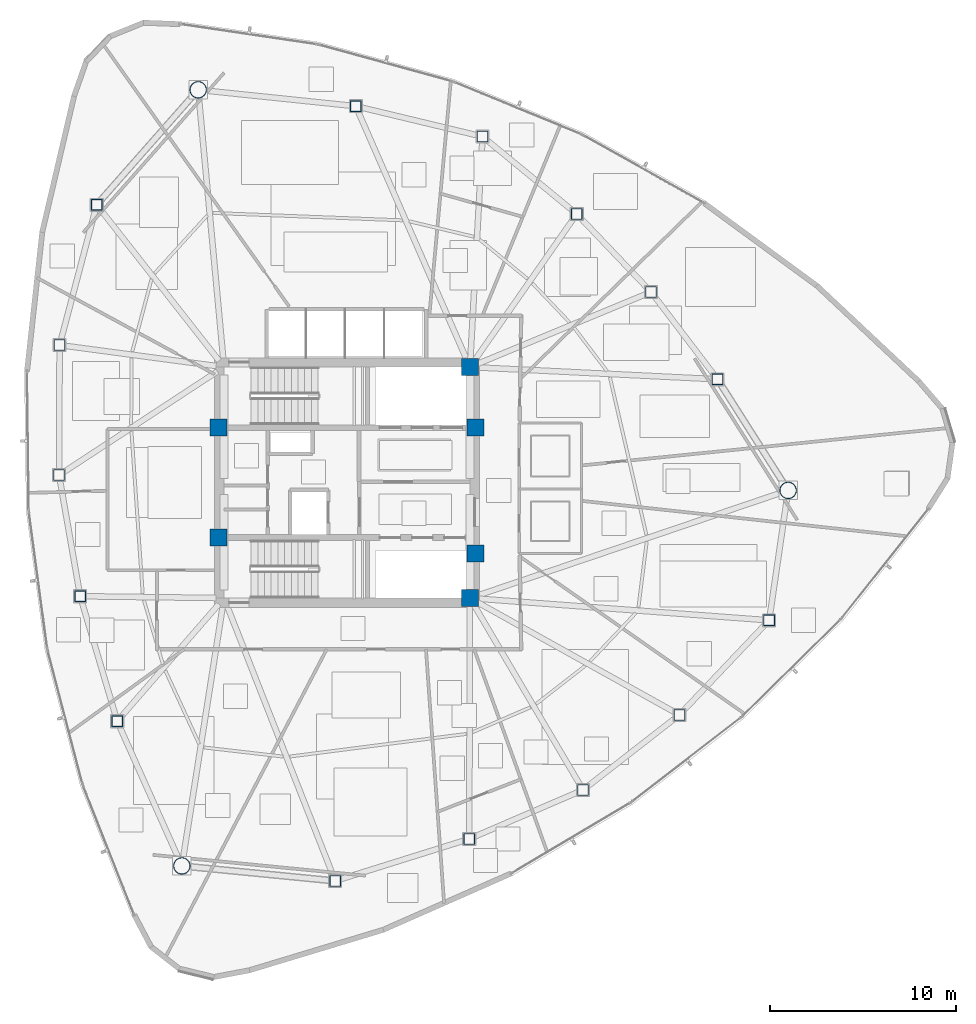
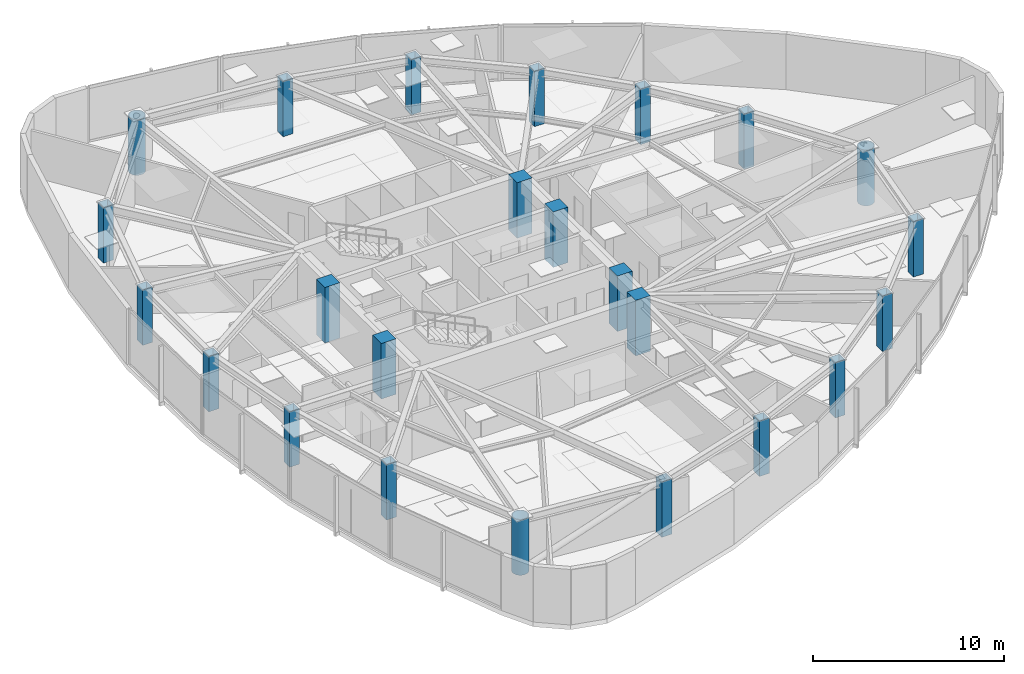
# One storey, part 1 of 18: 24 columns.
"""IFC4 building model written with IfcOpenShell, lengths in metres."""

from ifc_helpers import new_model, si_unit, direction, frame, origin, origin_2d, place, context, subcontext, project, spatial, rectangle, hollow_rectangle, hollow_circle, extrude, material, material_profile, profile_set, type_object, element, save


model = new_model("IFC4")

# Units and contexts
model_context = context("Model", 3, precision=1e-05, world=origin(), true_north=direction((0.0, 1.0)))
body_context = subcontext(model_context, "Body", "Model", "MODEL_VIEW")
ifc_project = project(units=[si_unit("LENGTHUNIT", "METRE"), si_unit("AREAUNIT", "SQUARE_METRE"), si_unit("VOLUMEUNIT", "CUBIC_METRE"), si_unit("PLANEANGLEUNIT", "RADIAN"), si_unit("MASSUNIT", "GRAM", prefix="KILO")], contexts=[model_context])

# Site, building, storey
site_placement = place(None, origin())
site = spatial("IfcSite", under=ifc_project, at=site_placement, CompositionType="ELEMENT")
building_placement = place(site_placement, origin())
building = spatial("IfcBuilding", under=site, at=building_placement, Name="Tavelor Broadcast Tower", CompositionType="ELEMENT")
storey_placement = place(building_placement, frame((0.0, 0.0, 177.199951171875)))
storey = spatial("IfcBuildingStorey", under=building, at=storey_placement, Name="L42", CompositionType="ELEMENT", Elevation=177.199951171875)

# Columns
ifc_material_1 = material(Name="Concrete C50/60", Category="concrete")
ifc_material_profile_1 = material_profile(ifc_material_1, rectangle(XDim=0.89990234375, YDim=0.89990234375, at=origin_2d()), Name="RC 900x900")
ifc_profile_set_1 = profile_set([ifc_material_profile_1], Name="Concrete C50/60")
column_type_1 = type_object("IfcColumnType", Name="Core Embedded Composite Column RC900", PredefinedType="COLUMN", material=ifc_profile_set_1)
for number, where, z_axis, x_axis, name in (
    (1, (43.10009765625, 47.949951171875, 0.0), (0.0, 0.0, 1.0), (1.0, 0.0, 0.0), "L42 Core Embedded Column 1"),
    (2, (56.89990234375, 47.949951171875, 0.0), (0.0, 0.0, 1.0), (1.0, 0.0, 0.0), "L42 Core Embedded Column 2"),
    (3, (56.60009765625, 51.199951171875, 0.0), (0.0, 0.0, 1.0), (1.0, 0.0, 0.0), "L42 Core Embedded Column 3"),
    (4, (43.10009765625, 42.050048828125, 0.0), (0.0, 0.0, 1.0), (1.0, 0.0, 0.0), "L42 Core Embedded Column 4"),
    (5, (56.89990234375, 41.199951171875, 0.0), (0.0, 0.0, 1.0), (1.0, 0.0, 0.0), "L42 Core Embedded Column 5"),
    (6, (56.60009765625, 38.800048828125, 0.0), (0.0, 0.0, 1.0), (1.0, 0.0, 0.0), "L42 Core Embedded Column 6"),
):
    element("IfcColumn", number, at=place(storey_placement, frame(where, z_axis=z_axis, x_axis=x_axis)), inside=storey, type_object=column_type_1, Name=name, PredefinedType="COLUMN", context=body_context, shape_type="SweptSolid", body=[
        extrude(rectangle(XDim=0.89990234375, YDim=0.89990234375, at=origin_2d()), origin(), (0.0, 0.0, 1.0), 3.550048828125),
    ])
ifc_material_2 = material(Name="Steel S460", Category="steel")
ifc_material_profile_2 = material_profile(ifc_material_2, hollow_rectangle(XDim=0.60009765625, YDim=0.60009765625, WallThickness=0.035888671875, at=origin_2d()), Name="SHS 600x600x36")
ifc_profile_set_2 = profile_set([ifc_material_profile_2], Name="Steel S460")
column_type_2 = type_object("IfcColumnType", Name="Perimeter Tube Column T4 SHS 600x600x36", PredefinedType="COLUMN", material=ifc_profile_set_2)
for number, where, z_axis, x_axis, name in (
    (7, (36.567626953125, 59.91064453125, 0.0), (0.0, 0.0, 1.0), (1.0, 0.0, 0.0), "L42 Perimeter Framed-Tube Column 02"),
    (8, (34.5751953125, 52.37939453125, 0.0), (0.0, 0.0, 1.0), (1.0, 0.0, 0.0), "L42 Perimeter Framed-Tube Column 03"),
    (9, (34.54638671875, 45.399169921875, 0.0), (0.0, 0.0, 1.0), (1.0, 0.0, 0.0), "L42 Perimeter Framed-Tube Column 04"),
    (10, (35.680908203125, 38.89990234375, 0.0), (0.0, 0.0, 1.0), (1.0, 0.0, 0.0), "L42 Perimeter Framed-Tube Column 05"),
    (11, (37.668212890625, 32.1904296875, 0.0), (0.0, 0.0, 1.0), (1.0, 0.0, 0.0), "L42 Perimeter Framed-Tube Column 06"),
    (12, (49.366455078125, 23.618896484375, 0.0), (0.0, 0.0, 1.0), (1.0, 0.0, 0.0), "L42 Perimeter Framed-Tube Column 08"),
    (13, (56.56103515625, 25.872802734375, 0.0), (0.0, 0.0, 1.0), (1.0, 0.0, 0.0), "L42 Perimeter Framed-Tube Column 09"),
    (14, (62.669189453125, 28.503173828125, 0.0), (0.0, 0.0, 1.0), (1.0, 0.0, 0.0), "L42 Perimeter Framed-Tube Column 10"),
    (15, (67.84228515625, 32.53173828125, 0.0), (0.0, 0.0, 1.0), (1.0, 0.0, 0.0), "L42 Perimeter Framed-Tube Column 11"),
    (16, (72.6591796875, 37.607421875, 0.0), (0.0, 0.0, 1.0), (1.0, 0.0, 0.0), "L42 Perimeter Framed-Tube Column 12"),
    (17, (69.885986328125, 50.544189453125, 0.0), (0.0, 0.0, 1.0), (1.0, 0.0, 0.0), "L42 Perimeter Framed-Tube Column 14"),
    (18, (66.322021484375, 55.228759765625, 0.0), (0.0, 0.0, 1.0), (1.0, 0.0, 0.0), "L42 Perimeter Framed-Tube Column 15"),
    (19, (62.330810546875, 59.416259765625, 0.0), (0.0, 0.0, 1.0), (1.0, 0.0, 0.0), "L42 Perimeter Framed-Tube Column 16"),
    (20, (57.276611328125, 63.568359375, 0.0), (0.0, 0.0, 1.0), (1.0, 0.0, 0.0), "L42 Perimeter Framed-Tube Column 17"),
    (21, (50.472412109375, 65.2021484375, 0.0), (0.0, 0.0, 1.0), (1.0, 0.0, 0.0), "L42 Perimeter Framed-Tube Column 18"),
):
    element("IfcColumn", number, at=place(storey_placement, frame(where, z_axis=z_axis, x_axis=x_axis)), inside=storey, type_object=column_type_2, Name=name, PredefinedType="COLUMN", context=body_context, shape_type="SweptSolid", body=[
        extrude(hollow_rectangle(XDim=0.60009765625, YDim=0.60009765625, WallThickness=0.035888671875, at=origin_2d()), origin(), (0.0, 0.0, 1.0), 3.550048828125),
    ])
ifc_material_profile_3 = material_profile(ifc_material_2, hollow_circle(Radius=0.45703125, WallThickness=0.0400390625, at=origin_2d()), Name="CHS 914x40")
ifc_profile_set_3 = profile_set([ifc_material_profile_3], Name="Steel S460")
column_type_3 = type_object("IfcColumnType", Name="Tower Mega Column T4 CHS 914x40", PredefinedType="COLUMN", material=ifc_profile_set_3)
for number, where, z_axis, x_axis, name in (
    (22, (42.01123046875, 66.080078125, 0.0), (0.0, 0.0, 1.0), (1.0, 0.0, 0.0), "L42 Tower Corner Mega Column 01"),
    (23, (41.138671875, 24.423828125, 0.0), (0.0, 0.0, 1.0), (1.0, 0.0, 0.0), "L42 Tower Corner Mega Column 07"),
    (24, (73.676025390625, 44.57958984375, 0.0), (0.0, 0.0, 1.0), (1.0, 0.0, 0.0), "L42 Tower Corner Mega Column 13"),
):
    element("IfcColumn", number, at=place(storey_placement, frame(where, z_axis=z_axis, x_axis=x_axis)), inside=storey, type_object=column_type_3, Name=name, PredefinedType="COLUMN", context=body_context, shape_type="SweptSolid", body=[
        extrude(hollow_circle(Radius=0.45703125, WallThickness=0.0400390625, at=origin_2d()), origin(), (0.0, 0.0, 1.0), 3.550048828125),
    ])

save(model, "model.ifc")
